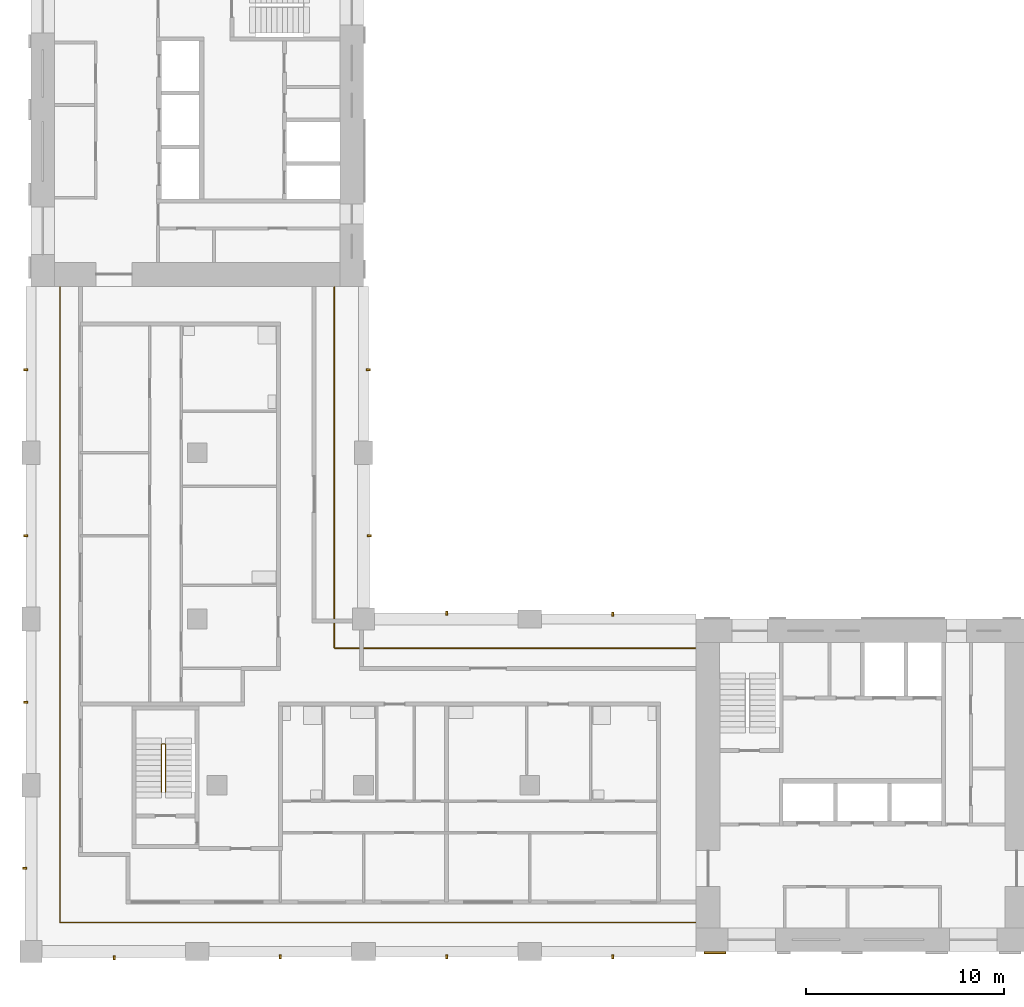
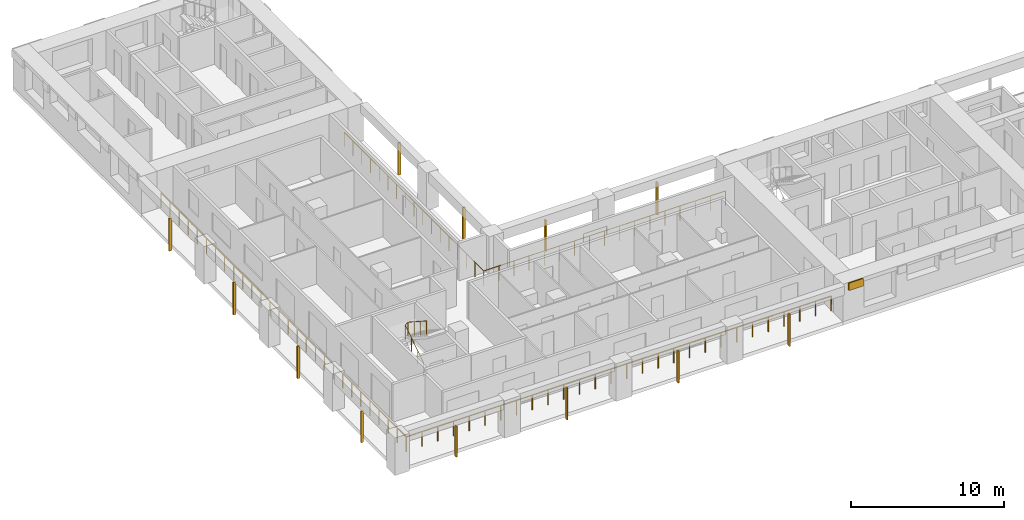
# One storey, part 8 of 11: 13 shading devices, 3 railings.
"""IFC4 building model written with IfcOpenShell, lengths in metres."""

from ifc_helpers import new_model, si_unit, direction, frame, origin, origin_2d, place, context, subcontext, project, spatial, rectangle, circle, extrude, material, layer, layer_set, material_profile, profile_set, type_object, element, save


model = new_model("IFC4")

# Units and contexts
model_context = context("Model", 3, precision=1e-05, world=origin(), true_north=direction((0.0, 1.0)))
body_context = subcontext(model_context, "Body", "Model", "MODEL_VIEW")
ifc_project = project(units=[si_unit("LENGTHUNIT", "METRE"), si_unit("AREAUNIT", "SQUARE_METRE"), si_unit("VOLUMEUNIT", "CUBIC_METRE"), si_unit("PLANEANGLEUNIT", "RADIAN"), si_unit("MASSUNIT", "GRAM", prefix="KILO")], contexts=[model_context])

# Site, building, storey
site_placement = place(None, origin())
site = spatial("IfcSite", under=ifc_project, at=site_placement, CompositionType="ELEMENT")
building_placement = place(site_placement, origin())
building = spatial("IfcBuilding", under=site, at=building_placement, Name="Vermilion Gate Residences", CompositionType="ELEMENT")
storey_placement = place(building_placement, frame((0.0, 0.0, 203.699951171875)))
storey = spatial("IfcBuildingStorey", under=building, at=storey_placement, Name="L53", CompositionType="ELEMENT", Elevation=203.699951171875)

# Railings
ifc_material_1 = material(Name="Stainless steel and toughened glass", Category="steel")
railing_type_1 = type_object("IfcRailingType", Name="LOGGIA GUARD STEEL AND GLASS 1200", PredefinedType="GUARDRAIL", material=ifc_material_1)
railing_1_placement = place(storey_placement, frame((41.97802734375, 23.72509765625, 0.0)))
element("IfcRailing", 1, at=railing_1_placement, inside=storey, type_object=railing_type_1, Name="Loggia guard", PredefinedType="GUARDRAIL", context=body_context, shape_type="SweptSolid", body=[
    extrude(circle(Radius=0.030029296875, at=origin_2d()), frame((0.0, 0.0, 1.169921875), z_axis=(-1.0, 0.0, 0.0), x_axis=(0.0, -1.0, 0.0)), (0.0, 0.0, 1.0), 18.2529296875),
    extrude(circle(Radius=0.030029296875, at=origin_2d()), frame((-18.2529296875, 0.0, 1.169921875), z_axis=(0.0, 1.0, 0.0), x_axis=(-1.0, 0.0, 0.0)), (0.0, 0.0, 1.0), 18.2529296875),
    extrude(circle(Radius=0.02490234375, at=origin_2d()), origin(), (0.0, 0.0, 1.0), 1.139892578125),
    extrude(circle(Radius=0.02490234375, at=origin_2d()), frame((-1.140869140625, 0.0, 0.0)), (0.0, 0.0, 1.0), 1.139892578125),
    extrude(circle(Radius=0.02490234375, at=origin_2d()), frame((-2.28173828125, 0.0, 0.0)), (0.0, 0.0, 1.0), 1.139892578125),
    extrude(circle(Radius=0.02490234375, at=origin_2d()), frame((-3.42236328125, 0.0, 0.0)), (0.0, 0.0, 1.0), 1.139892578125),
    extrude(circle(Radius=0.02490234375, at=origin_2d()), frame((-4.563232421875, 0.0, 0.0)), (0.0, 0.0, 1.0), 1.139892578125),
    extrude(circle(Radius=0.02490234375, at=origin_2d()), frame((-5.7041015625, 0.0, 0.0)), (0.0, 0.0, 1.0), 1.139892578125),
    extrude(circle(Radius=0.02490234375, at=origin_2d()), frame((-6.8447265625, 0.0, 0.0)), (0.0, 0.0, 1.0), 1.139892578125),
    extrude(circle(Radius=0.02490234375, at=origin_2d()), frame((-7.985595703125, 0.0, 0.0)), (0.0, 0.0, 1.0), 1.139892578125),
    extrude(circle(Radius=0.02490234375, at=origin_2d()), frame((-9.12646484375, 0.0, 0.0)), (0.0, 0.0, 1.0), 1.139892578125),
    extrude(circle(Radius=0.02490234375, at=origin_2d()), frame((-10.267333984375, 0.0, 0.0)), (0.0, 0.0, 1.0), 1.139892578125),
    extrude(circle(Radius=0.02490234375, at=origin_2d()), frame((-11.408203125, 0.0, 0.0)), (0.0, 0.0, 1.0), 1.139892578125),
    extrude(circle(Radius=0.02490234375, at=origin_2d()), frame((-12.548828125, 0.0, 0.0)), (0.0, 0.0, 1.0), 1.139892578125),
    extrude(circle(Radius=0.02490234375, at=origin_2d()), frame((-13.689697265625, 0.0, 0.0)), (0.0, 0.0, 1.0), 1.139892578125),
    extrude(circle(Radius=0.02490234375, at=origin_2d()), frame((-14.83056640625, 0.0, 0.0)), (0.0, 0.0, 1.0), 1.139892578125),
    extrude(circle(Radius=0.02490234375, at=origin_2d()), frame((-15.97119140625, 0.0, 0.0)), (0.0, 0.0, 1.0), 1.139892578125),
    extrude(circle(Radius=0.02490234375, at=origin_2d()), frame((-17.112060546875, 0.0, 0.0)), (0.0, 0.0, 1.0), 1.139892578125),
    extrude(circle(Radius=0.02490234375, at=origin_2d()), frame((-18.2529296875, 0.0, 0.0)), (0.0, 0.0, 1.0), 1.139892578125),
    extrude(circle(Radius=0.02490234375, at=origin_2d()), frame((-18.2529296875, 1.140869140625, 0.0)), (0.0, 0.0, 1.0), 1.139892578125),
    extrude(circle(Radius=0.02490234375, at=origin_2d()), frame((-18.2529296875, 2.28173828125, 0.0)), (0.0, 0.0, 1.0), 1.139892578125),
    extrude(circle(Radius=0.02490234375, at=origin_2d()), frame((-18.2529296875, 3.42236328125, 0.0)), (0.0, 0.0, 1.0), 1.139892578125),
    extrude(circle(Radius=0.02490234375, at=origin_2d()), frame((-18.2529296875, 4.563232421875, 0.0)), (0.0, 0.0, 1.0), 1.139892578125),
    extrude(circle(Radius=0.02490234375, at=origin_2d()), frame((-18.2529296875, 5.7041015625, 0.0)), (0.0, 0.0, 1.0), 1.139892578125),
    extrude(circle(Radius=0.02490234375, at=origin_2d()), frame((-18.2529296875, 6.8447265625, 0.0)), (0.0, 0.0, 1.0), 1.139892578125),
    extrude(circle(Radius=0.02490234375, at=origin_2d()), frame((-18.2529296875, 7.985595703125, 0.0)), (0.0, 0.0, 1.0), 1.139892578125),
    extrude(circle(Radius=0.02490234375, at=origin_2d()), frame((-18.2529296875, 9.12646484375, 0.0)), (0.0, 0.0, 1.0), 1.139892578125),
    extrude(circle(Radius=0.02490234375, at=origin_2d()), frame((-18.2529296875, 10.267333984375, 0.0)), (0.0, 0.0, 1.0), 1.139892578125),
    extrude(circle(Radius=0.02490234375, at=origin_2d()), frame((-18.2529296875, 11.408203125, 0.0)), (0.0, 0.0, 1.0), 1.139892578125),
    extrude(circle(Radius=0.02490234375, at=origin_2d()), frame((-18.2529296875, 12.548828125, 0.0)), (0.0, 0.0, 1.0), 1.139892578125),
    extrude(circle(Radius=0.02490234375, at=origin_2d()), frame((-18.2529296875, 13.689697265625, 0.0)), (0.0, 0.0, 1.0), 1.139892578125),
    extrude(circle(Radius=0.02490234375, at=origin_2d()), frame((-18.2529296875, 14.83056640625, 0.0)), (0.0, 0.0, 1.0), 1.139892578125),
    extrude(circle(Radius=0.02490234375, at=origin_2d()), frame((-18.2529296875, 15.97119140625, 0.0)), (0.0, 0.0, 1.0), 1.139892578125),
    extrude(circle(Radius=0.02490234375, at=origin_2d()), frame((-18.2529296875, 17.112060546875, 0.0)), (0.0, 0.0, 1.0), 1.139892578125),
    extrude(circle(Radius=0.02490234375, at=origin_2d()), frame((-18.2529296875, 18.2529296875, 0.0)), (0.0, 0.0, 1.0), 1.139892578125),
])
railing_2_placement = place(storey_placement, frame((9.875, 41.97802734375, 0.0)))
element("IfcRailing", 2, at=railing_2_placement, inside=storey, type_object=railing_type_1, Name="Loggia guard", PredefinedType="GUARDRAIL", context=body_context, shape_type="SweptSolid", body=[
    extrude(circle(Radius=0.030029296875, at=origin_2d()), frame((0.0, 0.0, 1.169921875), z_axis=(0.0, -1.0, 0.0), x_axis=(1.0, 0.0, 0.0)), (0.0, 0.0, 1.0), 32.10302734375),
    extrude(circle(Radius=0.030029296875, at=origin_2d()), frame((0.0, -32.10302734375, 1.169921875), z_axis=(1.0, 0.0, 0.0), x_axis=(0.0, 1.0, 0.0)), (0.0, 0.0, 1.0), 32.10302734375),
    extrude(circle(Radius=0.02490234375, at=origin_2d()), origin(), (0.0, 0.0, 1.0), 1.139892578125),
    extrude(circle(Radius=0.02490234375, at=origin_2d()), frame((0.0, -1.18896484375, 0.0)), (0.0, 0.0, 1.0), 1.139892578125),
    extrude(circle(Radius=0.02490234375, at=origin_2d()), frame((0.0, -2.3779296875, 0.0)), (0.0, 0.0, 1.0), 1.139892578125),
    extrude(circle(Radius=0.02490234375, at=origin_2d()), frame((0.0, -3.56689453125, 0.0)), (0.0, 0.0, 1.0), 1.139892578125),
    extrude(circle(Radius=0.02490234375, at=origin_2d()), frame((0.0, -4.756103515625, 0.0)), (0.0, 0.0, 1.0), 1.139892578125),
    extrude(circle(Radius=0.02490234375, at=origin_2d()), frame((0.0, -5.945068359375, 0.0)), (0.0, 0.0, 1.0), 1.139892578125),
    extrude(circle(Radius=0.02490234375, at=origin_2d()), frame((0.0, -7.134033203125, 0.0)), (0.0, 0.0, 1.0), 1.139892578125),
    extrude(circle(Radius=0.02490234375, at=origin_2d()), frame((0.0, -8.322998046875, 0.0)), (0.0, 0.0, 1.0), 1.139892578125),
    extrude(circle(Radius=0.02490234375, at=origin_2d()), frame((0.0, -9.511962890625, 0.0)), (0.0, 0.0, 1.0), 1.139892578125),
    extrude(circle(Radius=0.02490234375, at=origin_2d()), frame((0.0, -10.700927734375, 0.0)), (0.0, 0.0, 1.0), 1.139892578125),
    extrude(circle(Radius=0.02490234375, at=origin_2d()), frame((0.0, -11.889892578125, 0.0)), (0.0, 0.0, 1.0), 1.139892578125),
    extrude(circle(Radius=0.02490234375, at=origin_2d()), frame((0.0, -13.0791015625, 0.0)), (0.0, 0.0, 1.0), 1.139892578125),
    extrude(circle(Radius=0.02490234375, at=origin_2d()), frame((0.0, -14.26806640625, 0.0)), (0.0, 0.0, 1.0), 1.139892578125),
    extrude(circle(Radius=0.02490234375, at=origin_2d()), frame((0.0, -15.45703125, 0.0)), (0.0, 0.0, 1.0), 1.139892578125),
    extrude(circle(Radius=0.02490234375, at=origin_2d()), frame((0.0, -16.64599609375, 0.0)), (0.0, 0.0, 1.0), 1.139892578125),
    extrude(circle(Radius=0.02490234375, at=origin_2d()), frame((0.0, -17.8349609375, 0.0)), (0.0, 0.0, 1.0), 1.139892578125),
    extrude(circle(Radius=0.02490234375, at=origin_2d()), frame((0.0, -19.02392578125, 0.0)), (0.0, 0.0, 1.0), 1.139892578125),
    extrude(circle(Radius=0.02490234375, at=origin_2d()), frame((0.0, -20.213134765625, 0.0)), (0.0, 0.0, 1.0), 1.139892578125),
    extrude(circle(Radius=0.02490234375, at=origin_2d()), frame((0.0, -21.402099609375, 0.0)), (0.0, 0.0, 1.0), 1.139892578125),
    extrude(circle(Radius=0.02490234375, at=origin_2d()), frame((0.0, -22.591064453125, 0.0)), (0.0, 0.0, 1.0), 1.139892578125),
    extrude(circle(Radius=0.02490234375, at=origin_2d()), frame((0.0, -23.780029296875, 0.0)), (0.0, 0.0, 1.0), 1.139892578125),
    extrude(circle(Radius=0.02490234375, at=origin_2d()), frame((0.0, -24.968994140625, 0.0)), (0.0, 0.0, 1.0), 1.139892578125),
    extrude(circle(Radius=0.02490234375, at=origin_2d()), frame((0.0, -26.157958984375, 0.0)), (0.0, 0.0, 1.0), 1.139892578125),
    extrude(circle(Radius=0.02490234375, at=origin_2d()), frame((0.0, -27.346923828125, 0.0)), (0.0, 0.0, 1.0), 1.139892578125),
    extrude(circle(Radius=0.02490234375, at=origin_2d()), frame((0.0, -28.5361328125, 0.0)), (0.0, 0.0, 1.0), 1.139892578125),
    extrude(circle(Radius=0.02490234375, at=origin_2d()), frame((0.0, -29.72509765625, 0.0)), (0.0, 0.0, 1.0), 1.139892578125),
    extrude(circle(Radius=0.02490234375, at=origin_2d()), frame((0.0, -30.9140625, 0.0)), (0.0, 0.0, 1.0), 1.139892578125),
    extrude(circle(Radius=0.02490234375, at=origin_2d()), frame((0.0, -32.10302734375, 0.0)), (0.0, 0.0, 1.0), 1.139892578125),
    extrude(circle(Radius=0.02490234375, at=origin_2d()), frame((1.18896484375, -32.10302734375, 0.0)), (0.0, 0.0, 1.0), 1.139892578125),
    extrude(circle(Radius=0.02490234375, at=origin_2d()), frame((2.3779296875, -32.10302734375, 0.0)), (0.0, 0.0, 1.0), 1.139892578125),
    extrude(circle(Radius=0.02490234375, at=origin_2d()), frame((3.56689453125, -32.10302734375, 0.0)), (0.0, 0.0, 1.0), 1.139892578125),
    extrude(circle(Radius=0.02490234375, at=origin_2d()), frame((4.756103515625, -32.10302734375, 0.0)), (0.0, 0.0, 1.0), 1.139892578125),
    extrude(circle(Radius=0.02490234375, at=origin_2d()), frame((5.945068359375, -32.10302734375, 0.0)), (0.0, 0.0, 1.0), 1.139892578125),
    extrude(circle(Radius=0.02490234375, at=origin_2d()), frame((7.134033203125, -32.10302734375, 0.0)), (0.0, 0.0, 1.0), 1.139892578125),
    extrude(circle(Radius=0.02490234375, at=origin_2d()), frame((8.322998046875, -32.10302734375, 0.0)), (0.0, 0.0, 1.0), 1.139892578125),
    extrude(circle(Radius=0.02490234375, at=origin_2d()), frame((9.511962890625, -32.10302734375, 0.0)), (0.0, 0.0, 1.0), 1.139892578125),
    extrude(circle(Radius=0.02490234375, at=origin_2d()), frame((10.700927734375, -32.10302734375, 0.0)), (0.0, 0.0, 1.0), 1.139892578125),
    extrude(circle(Radius=0.02490234375, at=origin_2d()), frame((11.889892578125, -32.10302734375, 0.0)), (0.0, 0.0, 1.0), 1.139892578125),
    extrude(circle(Radius=0.02490234375, at=origin_2d()), frame((13.0791015625, -32.10302734375, 0.0)), (0.0, 0.0, 1.0), 1.139892578125),
    extrude(circle(Radius=0.02490234375, at=origin_2d()), frame((14.26806640625, -32.10302734375, 0.0)), (0.0, 0.0, 1.0), 1.139892578125),
    extrude(circle(Radius=0.02490234375, at=origin_2d()), frame((15.45703125, -32.10302734375, 0.0)), (0.0, 0.0, 1.0), 1.139892578125),
    extrude(circle(Radius=0.02490234375, at=origin_2d()), frame((16.64599609375, -32.10302734375, 0.0)), (0.0, 0.0, 1.0), 1.139892578125),
    extrude(circle(Radius=0.02490234375, at=origin_2d()), frame((17.8349609375, -32.10302734375, 0.0)), (0.0, 0.0, 1.0), 1.139892578125),
    extrude(circle(Radius=0.02490234375, at=origin_2d()), frame((19.02392578125, -32.10302734375, 0.0)), (0.0, 0.0, 1.0), 1.139892578125),
    extrude(circle(Radius=0.02490234375, at=origin_2d()), frame((20.213134765625, -32.10302734375, 0.0)), (0.0, 0.0, 1.0), 1.139892578125),
    extrude(circle(Radius=0.02490234375, at=origin_2d()), frame((21.402099609375, -32.10302734375, 0.0)), (0.0, 0.0, 1.0), 1.139892578125),
    extrude(circle(Radius=0.02490234375, at=origin_2d()), frame((22.591064453125, -32.10302734375, 0.0)), (0.0, 0.0, 1.0), 1.139892578125),
    extrude(circle(Radius=0.02490234375, at=origin_2d()), frame((23.780029296875, -32.10302734375, 0.0)), (0.0, 0.0, 1.0), 1.139892578125),
    extrude(circle(Radius=0.02490234375, at=origin_2d()), frame((24.968994140625, -32.10302734375, 0.0)), (0.0, 0.0, 1.0), 1.139892578125),
    extrude(circle(Radius=0.02490234375, at=origin_2d()), frame((26.157958984375, -32.10302734375, 0.0)), (0.0, 0.0, 1.0), 1.139892578125),
    extrude(circle(Radius=0.02490234375, at=origin_2d()), frame((27.346923828125, -32.10302734375, 0.0)), (0.0, 0.0, 1.0), 1.139892578125),
    extrude(circle(Radius=0.02490234375, at=origin_2d()), frame((28.5361328125, -32.10302734375, 0.0)), (0.0, 0.0, 1.0), 1.139892578125),
    extrude(circle(Radius=0.02490234375, at=origin_2d()), frame((29.72509765625, -32.10302734375, 0.0)), (0.0, 0.0, 1.0), 1.139892578125),
    extrude(circle(Radius=0.02490234375, at=origin_2d()), frame((30.9140625, -32.10302734375, 0.0)), (0.0, 0.0, 1.0), 1.139892578125),
    extrude(circle(Radius=0.02490234375, at=origin_2d()), frame((32.10302734375, -32.10302734375, 0.0)), (0.0, 0.0, 1.0), 1.139892578125),
])
ifc_material_2 = material(Name="Steel S355", Category="steel")
railing_type_2 = type_object("IfcRailingType", Name="STAIR GUARD 1100 STEEL", PredefinedType="GUARDRAIL", material=ifc_material_2)
railing_3_placement = place(storey_placement, frame((15.0, 16.449951171875, 0.175048828125)))
element("IfcRailing", 3, at=railing_3_placement, inside=storey, type_object=railing_type_2, Name="Stair well guard STC1-53", PredefinedType="GUARDRAIL", context=body_context, shape_type="SweptSolid", body=[
    extrude(circle(Radius=0.02392578125, at=origin_2d()), frame((0.0, 0.0, 1.076171875), z_axis=(0.0, 0.839153699163, 0.543894354798), x_axis=(-1.0, 0.0, 0.0)), (0.0, 0.0, 1.0), 2.895751953125),
    extrude(circle(Radius=0.02392578125, at=origin_2d()), frame((0.0, 2.429931640625, 2.65087890625), z_axis=(0.752405939678, 0.0, 0.658699705433), x_axis=(0.0, 1.0, 0.0)), (0.0, 0.0, 1.0), 0.265869140625),
    extrude(circle(Radius=0.02392578125, at=origin_2d()), frame((0.199951171875, 2.429931640625, 2.826171875), z_axis=(0.0, -0.839153699163, 0.543894354798), x_axis=(1.0, 0.0, 0.0)), (0.0, 0.0, 1.0), 2.895751953125),
    extrude(circle(Radius=0.02099609375, at=origin_2d()), origin(), (0.0, 0.0, 1.0), 1.052001953125),
    extrude(circle(Radius=0.02099609375, at=origin_2d()), frame((0.0, 0.81005859375, 0.52490234375)), (0.0, 0.0, 1.0), 1.052001953125),
    extrude(circle(Radius=0.02099609375, at=origin_2d()), frame((0.0, 1.619873046875, 1.050048828125)), (0.0, 0.0, 1.0), 1.052001953125),
    extrude(circle(Radius=0.02099609375, at=origin_2d()), frame((0.0, 2.429931640625, 1.574951171875)), (0.0, 0.0, 1.0), 1.052001953125),
    extrude(circle(Radius=0.02099609375, at=origin_2d()), frame((0.199951171875, 2.429931640625, 1.75)), (0.0, 0.0, 1.0), 1.052001953125),
    extrude(circle(Radius=0.02099609375, at=origin_2d()), frame((0.199951171875, 1.619873046875, 2.27490234375)), (0.0, 0.0, 1.0), 1.052001953125),
    extrude(circle(Radius=0.02099609375, at=origin_2d()), frame((0.199951171875, 0.81005859375, 2.800048828125)), (0.0, 0.0, 1.0), 1.052001953125),
    extrude(circle(Radius=0.02099609375, at=origin_2d()), frame((0.199951171875, 0.0, 3.324951171875)), (0.0, 0.0, 1.0), 1.052001953125),
])

# Shading devices
ifc_material_3 = material(Name="Extruded terracotta", Category="masonry")
ifc_material_profile = material_profile(ifc_material_3, rectangle(XDim=0.199951171875, YDim=0.10009765625, at=origin_2d()), Name="BAGUETTE 100 X 200")
ifc_profile_set = profile_set([ifc_material_profile], Name="Extruded terracotta")
shading_device_type_1 = type_object("IfcShadingDeviceType", Name="TERRACOTTA BAGUETTE 100 X 200", PredefinedType="JALOUSIE", material=ifc_profile_set)
shading_device_1_placement = place(storey_placement, frame((12.60009765625, 8.10009765625, -0.280029296875), z_axis=(0.0, 0.0, 1.0), x_axis=(0.0, 1.0, 0.0)))
element("IfcShadingDevice", 4, at=shading_device_1_placement, inside=storey, type_object=shading_device_type_1, Name="BAGUETTE", PredefinedType="JALOUSIE", context=body_context, shape_type="SweptSolid", body=[
    extrude(rectangle(XDim=0.199951171875, YDim=0.10009765625, at=origin_2d()), origin(), (0.0, 0.0, 1.0), 2.47998046875),
])
for number, where, z_axis, x_axis, name in (
    (5, (21.0, 8.14990234375, -0.280029296875), (0.0, 0.0, 1.0), (0.0, 1.0, 0.0), "BAGUETTE"),
    (6, (29.39990234375, 8.14990234375, -0.280029296875), (0.0, 0.0, 1.0), (0.0, 1.0, 0.0), "BAGUETTE"),
    (7, (37.800048828125, 8.14990234375, -0.280029296875), (0.0, 0.0, 1.0), (0.0, 1.0, 0.0), "BAGUETTE"),
):
    element("IfcShadingDevice", number, at=place(storey_placement, frame(where, z_axis=z_axis, x_axis=x_axis)), inside=storey, type_object=shading_device_type_1, Name=name, PredefinedType="JALOUSIE", context=body_context, shape_type="SweptSolid", body=[
        extrude(rectangle(XDim=0.199951171875, YDim=0.10009765625, at=origin_2d()), origin(), (0.0, 0.0, 1.0), 2.580078125),
    ])
shading_device_2_placement = place(storey_placement, frame((29.39990234375, 25.5, -0.280029296875), z_axis=(0.0, 0.0, 1.0), x_axis=(0.0, -1.0, 0.0)))
element("IfcShadingDevice", 8, at=shading_device_2_placement, inside=storey, type_object=shading_device_type_1, Name="BAGUETTE", PredefinedType="JALOUSIE", context=body_context, shape_type="SweptSolid", body=[
    extrude(rectangle(XDim=0.199951171875, YDim=0.10009765625, at=origin_2d()), origin(), (0.0, 0.0, 1.0), 2.47998046875),
])
shading_device_3_placement = place(storey_placement, frame((37.800048828125, 25.449951171875, -0.280029296875), z_axis=(0.0, 0.0, 1.0), x_axis=(0.0, -1.0, 0.0)))
element("IfcShadingDevice", 9, at=shading_device_3_placement, inside=storey, type_object=shading_device_type_1, Name="BAGUETTE", PredefinedType="JALOUSIE", context=body_context, shape_type="SweptSolid", body=[
    extrude(rectangle(XDim=0.199951171875, YDim=0.10009765625, at=origin_2d()), origin(), (0.0, 0.0, 1.0), 2.580078125),
])
shading_device_4_placement = place(storey_placement, frame((25.5, 29.39990234375, -0.280029296875), z_axis=(0.0, 0.0, 1.0), x_axis=(-1.0, 0.0, 0.0)))
element("IfcShadingDevice", 10, at=shading_device_4_placement, inside=storey, type_object=shading_device_type_1, Name="BAGUETTE", PredefinedType="JALOUSIE", context=body_context, shape_type="SweptSolid", body=[
    extrude(rectangle(XDim=0.199951171875, YDim=0.10009765625, at=origin_2d()), origin(), (0.0, 0.0, 1.0), 2.47998046875),
])
shading_device_5_placement = place(storey_placement, frame((25.449951171875, 37.800048828125, -0.280029296875), z_axis=(0.0, 0.0, 1.0), x_axis=(-1.0, 0.0, 0.0)))
element("IfcShadingDevice", 11, at=shading_device_5_placement, inside=storey, type_object=shading_device_type_1, Name="BAGUETTE", PredefinedType="JALOUSIE", context=body_context, shape_type="SweptSolid", body=[
    extrude(rectangle(XDim=0.199951171875, YDim=0.10009765625, at=origin_2d()), origin(), (0.0, 0.0, 1.0), 2.580078125),
])
shading_device_6_placement = place(storey_placement, frame((8.10009765625, 12.60009765625, -0.280029296875), z_axis=(0.0, 0.0, 1.0), x_axis=(1.0, 0.0, 0.0)))
element("IfcShadingDevice", 12, at=shading_device_6_placement, inside=storey, type_object=shading_device_type_1, Name="BAGUETTE", PredefinedType="JALOUSIE", context=body_context, shape_type="SweptSolid", body=[
    extrude(rectangle(XDim=0.199951171875, YDim=0.10009765625, at=origin_2d()), origin(), (0.0, 0.0, 1.0), 2.47998046875),
])
for number, where, z_axis, x_axis, name in (
    (13, (8.14990234375, 21.0, -0.280029296875), (0.0, 0.0, 1.0), (1.0, 0.0, 0.0), "BAGUETTE"),
    (14, (8.14990234375, 29.39990234375, -0.280029296875), (0.0, 0.0, 1.0), (1.0, 0.0, 0.0), "BAGUETTE"),
    (15, (8.14990234375, 37.800048828125, -0.280029296875), (0.0, 0.0, 1.0), (1.0, 0.0, 0.0), "BAGUETTE"),
):
    element("IfcShadingDevice", number, at=place(storey_placement, frame(where, z_axis=z_axis, x_axis=x_axis)), inside=storey, type_object=shading_device_type_1, Name=name, PredefinedType="JALOUSIE", context=body_context, shape_type="SweptSolid", body=[
        extrude(rectangle(XDim=0.199951171875, YDim=0.10009765625, at=origin_2d()), origin(), (0.0, 0.0, 1.0), 2.580078125),
    ])
ifc_material_4 = material(Name="Extruded terracotta", Category="masonry")
ifc_layer = layer(ifc_material_4, 0.10009765625)
ifc_layer_set = layer_set([ifc_layer], Name="TERRACOTTA SPANDREL BAND 600 X 100")
shading_device_type_2 = type_object("IfcShadingDeviceType", Name="TERRACOTTA SPANDREL BAND 600 X 100", PredefinedType="USERDEFINED", material=ifc_layer_set)
shading_device_7_placement = place(storey_placement, frame((42.949951171875, 8.35009765625, 2.39990234375), z_axis=(0.0, 0.0, 1.0), x_axis=(1.0, 0.0, 0.0)))
element("IfcShadingDevice", 16, at=shading_device_7_placement, inside=storey, type_object=shading_device_type_2, Name="SPANDREL BAND", ObjectType="BAND", PredefinedType="USERDEFINED", context=body_context, shape_type="SweptSolid", body=[
    extrude(rectangle(XDim=1.10009765625, YDim=0.10009765625, at=origin_2d()), origin(), (0.0, 0.0, 1.0), 0.60009765625),
])

save(model, "model.ifc")
